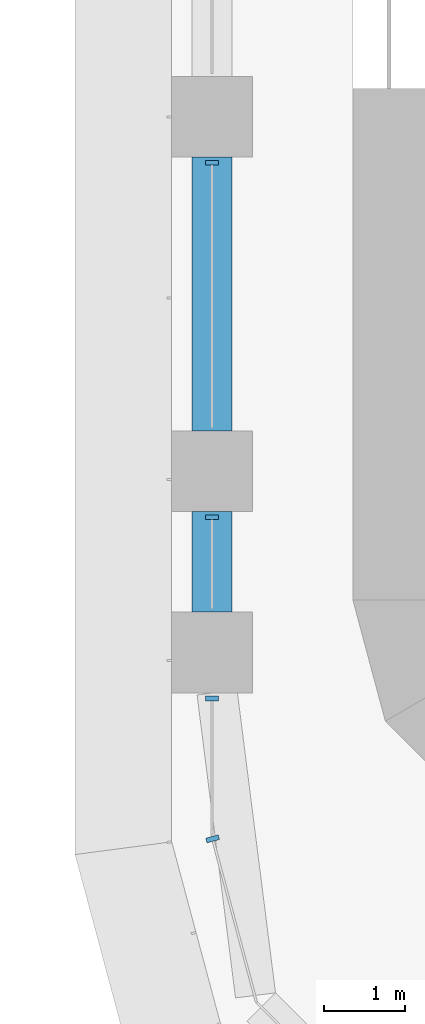
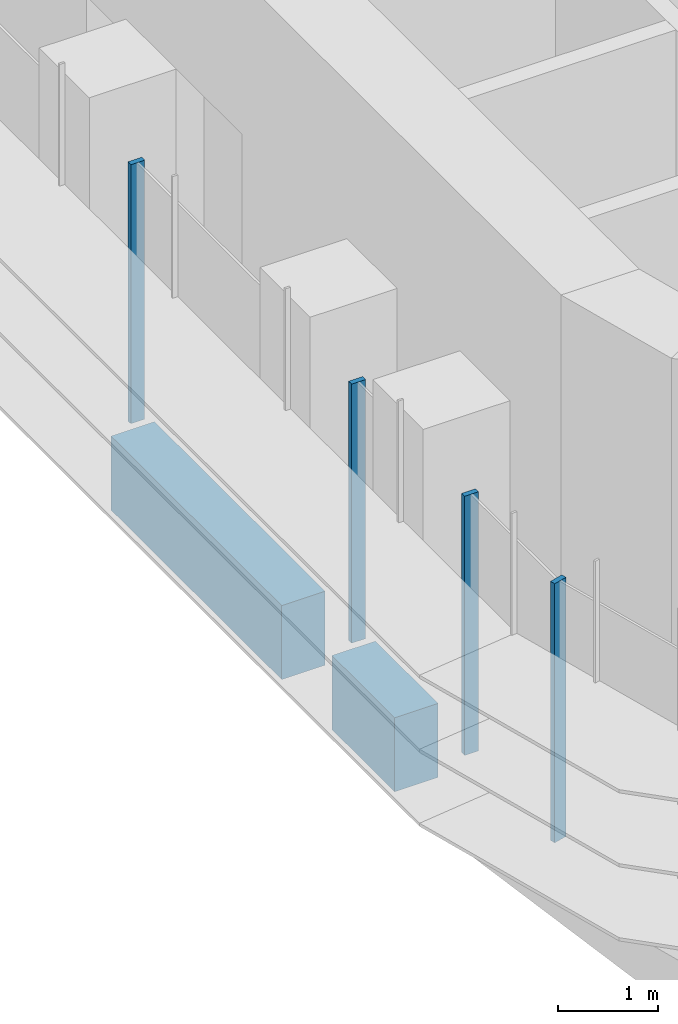
# One storey, part 2 of 23: 4 members, 2 beams, 2 elements without a shape of their own.
"""IFC4 building model written with IfcOpenShell, lengths in metres."""

from ifc_helpers import new_model, si_unit, direction, frame, origin, origin_2d, place, context, subcontext, project, spatial, polyline, rectangle, outline, extrude, source, transform, mapped, material, material_profile, profile_set, type_object, element, aggregate, save


model = new_model("IFC4")

# Units and contexts
model_context = context("Model", 3, precision=1e-05, world=origin(), true_north=direction((0.0, 1.0)))
body_context = subcontext(model_context, "Body", "Model", "MODEL_VIEW")
ifc_project = project(units=[si_unit("LENGTHUNIT", "METRE"), si_unit("AREAUNIT", "SQUARE_METRE"), si_unit("VOLUMEUNIT", "CUBIC_METRE"), si_unit("PLANEANGLEUNIT", "RADIAN"), si_unit("MASSUNIT", "GRAM", prefix="KILO")], contexts=[model_context])

# Site, building, storey
site_placement = place(None, origin())
site = spatial("IfcSite", under=ifc_project, at=site_placement, CompositionType="ELEMENT")
building_placement = place(site_placement, origin())
building = spatial("IfcBuilding", under=site, at=building_placement, Name="Zarbagh Exchange Tower", CompositionType="ELEMENT")
storey_placement = place(building_placement, frame((0.0, 0.0, 56.39990234375)))
storey = spatial("IfcBuildingStorey", under=building, at=storey_placement, Name="L12", CompositionType="ELEMENT", Elevation=56.39990234375)

# Beams
ifc_material_1 = material(Name="Concrete C60/75", Category="concrete")
ifc_material_profile = material_profile(ifc_material_1, rectangle(XDim=0.5, YDim=0.89990234375, at=origin_2d()), Name="RC spandrel beam 500 x 900 C60/75")
ifc_profile_set = profile_set([ifc_material_profile], Name="Concrete C60/75")
beam_type = type_object("IfcBeamType", Name="RC spandrel beam 500 x 900 C60/75", PredefinedType="SPANDREL", material=ifc_profile_set)
beam_1_placement = place(storey_placement, frame((-6.25, -26.39990234375, -0.599853515625), z_axis=(0.0, 1.0, 0.0), x_axis=(-1.0, 0.0, 0.0)))
element("IfcBeam", 1, at=beam_1_placement, inside=storey, type_object=beam_type, Name="RC spandrel beam", PredefinedType="SPANDREL", context=body_context, shape_type="SweptSolid", body=[
    extrude(rectangle(XDim=0.5, YDim=0.89990234375, at=origin_2d()), origin(), (0.0, 0.0, 1.0), 1.25),
])
beam_2_placement = place(storey_placement, frame((-6.25, -24.14990234375, -0.599853515625), z_axis=(0.0, 1.0, 0.0), x_axis=(-1.0, 0.0, 0.0)))
element("IfcBeam", 2, at=beam_2_placement, inside=storey, type_object=beam_type, Name="RC spandrel beam", PredefinedType="SPANDREL", context=body_context, shape_type="SweptSolid", body=[
    extrude(rectangle(XDim=0.5, YDim=0.89990234375, at=origin_2d()), origin(), (0.0, 0.0, 1.0), 3.39990234375),
])

# Curtain wall, members
ifc_material_2 = material(Name="Anodised aluminium frame and glazing", Category="aluminium")
curtain_wall_type = type_object("IfcCurtainWallType", Name="CWA Ribbon glazing, lower zones", PredefinedType="NOTDEFINED", material=ifc_material_2)
curtain_wall_1_placement = place(storey_placement, origin())
curtain_wall_1 = element("IfcCurtainWall", 3, at=curtain_wall_1_placement, inside=storey, type_object=curtain_wall_type, Name="CWA44 curtain wall", PredefinedType="NOTDEFINED")
ifc_material_3 = material(Name="Anodised aluminium frame", Category="aluminium")
member_type = type_object("IfcMemberType", Name="MUA Mullion, anodised aluminium frame", PredefinedType="MULLION", material=ifc_material_3)
shared_shape = source(origin(), body_context, "Body", "SweptSolid", [
    extrude(outline(polyline([(0.0, -0.080078125), (0.06005859375, -0.080078125), (0.06005859375, 0.080078125), (0.0, 0.080078125), (0.0, -0.080078125)])), origin(), (0.0, 0.0, 1.0), 3.14990234375),
])
placement = place(storey_placement, origin())
member_1 = element("IfcMember", 4, at=placement, type_object=member_type, Name="CWA44 mullion 3.1", PredefinedType="MULLION", context=body_context, shape_type="MappedRepresentation", body=[
    mapped(shared_shape, transform((-6.25, -20.7900390625, 0.0), x_axis=(0.0, -1.0, 0.0), y_axis=(1.0, 0.0, 0.0), z_axis=(0.0, 0.0, 1.0))),
])
member_2 = element("IfcMember", 5, at=placement, type_object=member_type, Name="CWA44 mullion 4.1", PredefinedType="MULLION", context=body_context, shape_type="MappedRepresentation", body=[
    mapped(shared_shape, transform((-6.25, -25.18994140625, 0.0), x_axis=(0.0, -1.0, 0.0), y_axis=(1.0, 0.0, 0.0), z_axis=(0.0, 0.0, 1.0))),
])
member_3 = element("IfcMember", 6, at=placement, type_object=member_type, Name="CWA44 mullion 5.1", PredefinedType="MULLION", context=body_context, shape_type="MappedRepresentation", body=[
    mapped(shared_shape, transform((-6.25, -27.43994140625, 0.0), x_axis=(0.0, -1.0, 0.0), y_axis=(1.0, 0.0, 0.0), z_axis=(0.0, 0.0, 1.0))),
])
aggregate(curtain_wall_1, [member_1, member_2, member_3])

# Curtain wall, member
curtain_wall_2_placement = place(storey_placement, origin())
curtain_wall_2 = element("IfcCurtainWall", 7, at=curtain_wall_2_placement, inside=storey, type_object=curtain_wall_type, Name="CWA45 curtain wall", PredefinedType="NOTDEFINED")
member_4 = element("IfcMember", 8, at=placement, type_object=member_type, Name="CWA45 mullion 1.1", PredefinedType="MULLION", context=body_context, shape_type="MappedRepresentation", body=[
    mapped(shared_shape, transform((-6.25, -29.18408203125, 0.0), x_axis=(0.258824779902, -0.965924289636, 0.0), y_axis=(0.965924289636, 0.258824779902, 0.0), z_axis=(0.0, 0.0, 1.0))),
])
aggregate(curtain_wall_2, [member_4])

save(model, "model.ifc")
